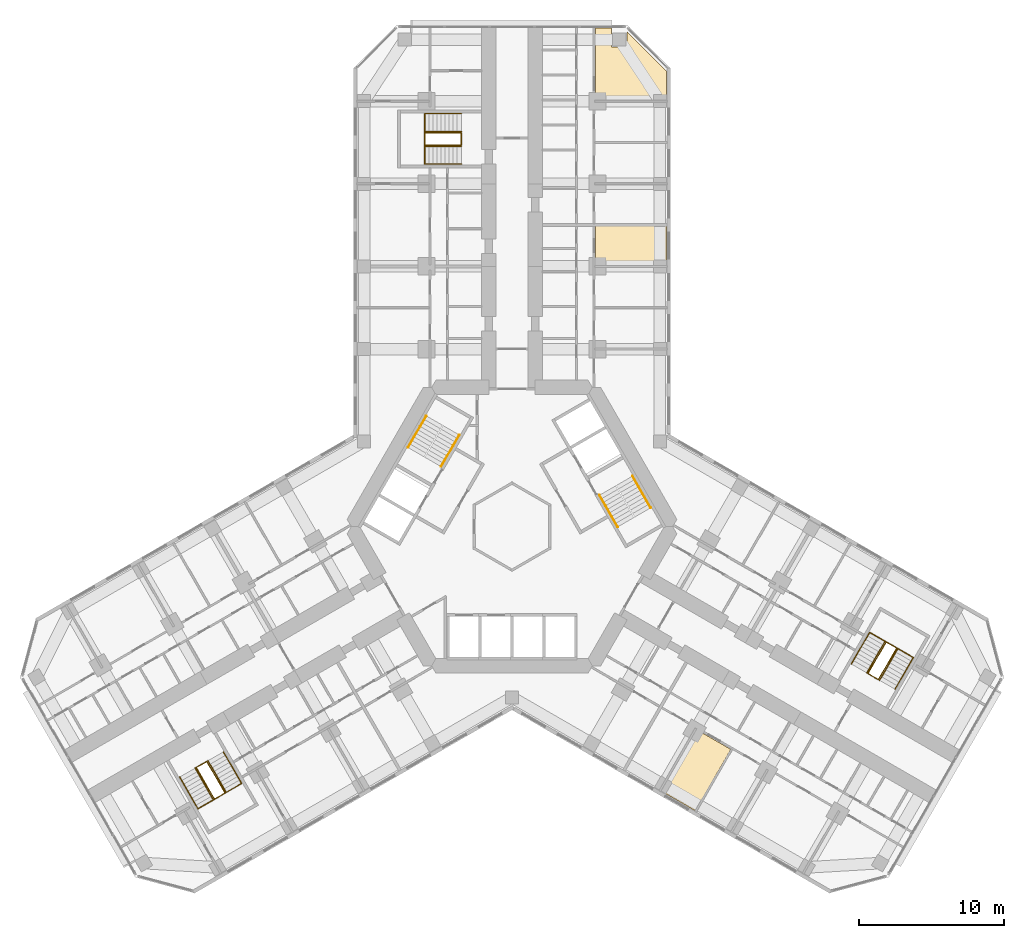
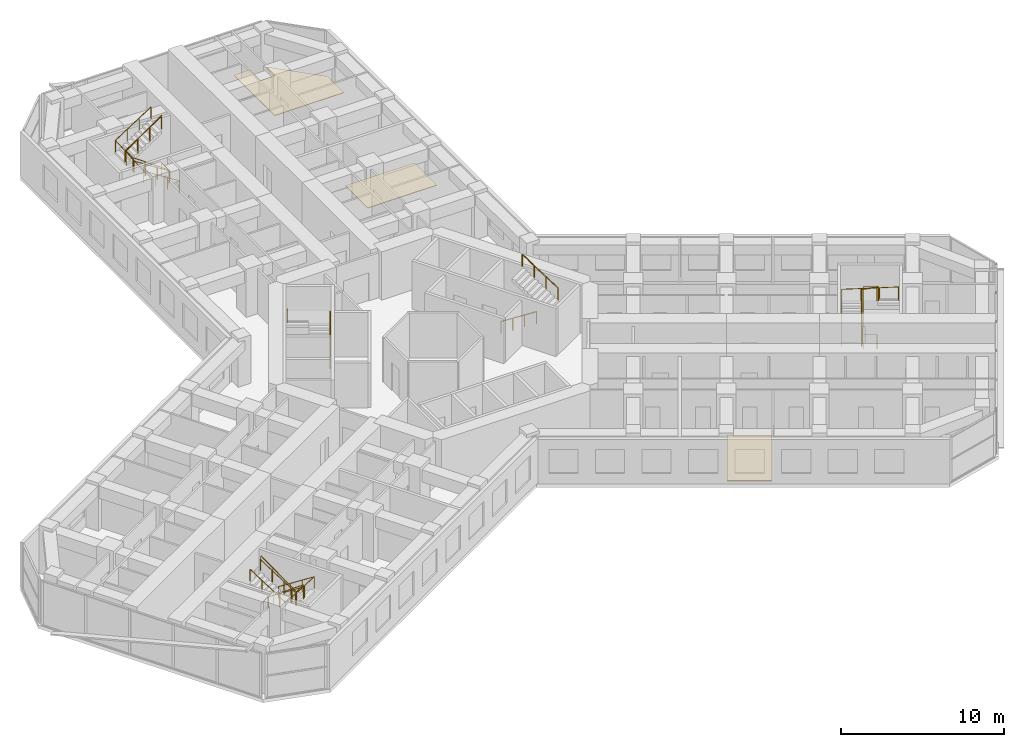
# One storey, part 21 of 21: 13 railings, 3 coverings.
"""IFC4 building model written with IfcOpenShell, lengths in metres."""

from ifc_helpers import new_model, si_unit, direction, frame, origin, origin_2d, place, context, subcontext, project, spatial, polyline, circle, outline, extrude, material, layer, layer_set, type_object, element, save


model = new_model("IFC4")

# Units and contexts
model_context = context("Model", 3, precision=1e-05, world=origin(), true_north=direction((0.0, 1.0)))
body_context = subcontext(model_context, "Body", "Model", "MODEL_VIEW")
ifc_project = project(units=[si_unit("LENGTHUNIT", "METRE"), si_unit("AREAUNIT", "SQUARE_METRE"), si_unit("VOLUMEUNIT", "CUBIC_METRE"), si_unit("PLANEANGLEUNIT", "RADIAN"), si_unit("MASSUNIT", "GRAM", prefix="KILO")], contexts=[model_context])

# Site, building, storey
site_placement = place(None, origin())
site = spatial("IfcSite", under=ifc_project, at=site_placement, CompositionType="ELEMENT")
building_placement = place(site_placement, origin())
building = spatial("IfcBuilding", under=site, at=building_placement, Name="Kosmar Iwan School Tower", CompositionType="ELEMENT")
storey_placement = place(building_placement, frame((0.0, 0.0, 84.39990234375)))
storey = spatial("IfcBuildingStorey", under=building, at=storey_placement, Name="L20", CompositionType="ELEMENT", Elevation=84.39990234375)

# Railings
ifc_material_1 = material(Name="Black steel", Category="steel")
railing_type_1 = type_object("IfcRailingType", Name="Stair handrail 900", PredefinedType="HANDRAIL", material=ifc_material_1)
railing_1_placement = place(storey_placement, frame((-4.89453125, 4.142333984375, 0.18017578125)))
element("IfcRailing", 1, at=railing_1_placement, inside=storey, type_object=railing_type_1, Name="Handrail ST2 flight 1", PredefinedType="HANDRAIL", context=body_context, shape_type="SweptSolid", body=[
    extrude(circle(Radius=0.02392578125, at=origin_2d()), frame((0.0, 0.0, 0.8759765625), z_axis=(0.42060268101, 0.72849590497, 0.54072830624), x_axis=(-0.866022637375, 0.500004791531, 0.0)), (0.0, 0.0, 1.0), 2.99560546875),
    extrude(circle(Radius=0.02099609375, at=origin_2d()), origin(), (0.0, 0.0, 1.0), 0.851806640625),
    extrude(circle(Radius=0.02099609375, at=origin_2d()), frame((0.419921875, 0.7275390625, 0.5400390625)), (0.0, 0.0, 1.0), 0.851806640625),
    extrude(circle(Radius=0.02099609375, at=origin_2d()), frame((0.840087890625, 1.454833984375, 1.079833984375)), (0.0, 0.0, 1.0), 0.851806640625),
    extrude(circle(Radius=0.02099609375, at=origin_2d()), frame((1.260009765625, 2.182373046875, 1.619873046875)), (0.0, 0.0, 1.0), 0.851806640625),
])
railing_2_placement = place(storey_placement, frame((-5.912353515625, 7.6396484375, 1.97998046875)))
element("IfcRailing", 2, at=railing_2_placement, inside=storey, type_object=railing_type_1, Name="Handrail ST2 flight 2", PredefinedType="HANDRAIL", context=body_context, shape_type="SweptSolid", body=[
    extrude(circle(Radius=0.02392578125, at=origin_2d()), frame((0.0, 0.0, 0.8759765625), z_axis=(-0.420584145978, -0.728463801763, 0.540785970299), x_axis=(0.866022637375, -0.500004791531, 0.0)), (0.0, 0.0, 1.0), 2.995849609375),
    extrude(circle(Radius=0.02099609375, at=origin_2d()), origin(), (0.0, 0.0, 1.0), 0.851806640625),
    extrude(circle(Radius=0.02099609375, at=origin_2d()), frame((-0.419921875, -0.7275390625, 0.5400390625)), (0.0, 0.0, 1.0), 0.851806640625),
    extrude(circle(Radius=0.02099609375, at=origin_2d()), frame((-0.840087890625, -1.454833984375, 1.080078125)), (0.0, 0.0, 1.0), 0.851806640625),
    extrude(circle(Radius=0.02099609375, at=origin_2d()), frame((-1.260009765625, -2.182373046875, 1.6201171875)), (0.0, 0.0, 1.0), 0.851806640625),
])
railing_3_placement = place(storey_placement, frame((6.03466796875, 2.167724609375, 0.18017578125)))
element("IfcRailing", 3, at=railing_3_placement, inside=storey, type_object=railing_type_1, Name="Handrail ST1 flight 1", PredefinedType="HANDRAIL", context=body_context, shape_type="SweptSolid", body=[
    extrude(circle(Radius=0.02392578125, at=origin_2d()), frame((0.0, 0.0, 0.8759765625), z_axis=(0.42060268101, -0.72849590497, 0.54072830624), x_axis=(0.866022637375, 0.500004791531, 0.0)), (0.0, 0.0, 1.0), 2.99560546875),
    extrude(circle(Radius=0.02099609375, at=origin_2d()), origin(), (0.0, 0.0, 1.0), 0.851806640625),
    extrude(circle(Radius=0.02099609375, at=origin_2d()), frame((0.419921875, -0.7275390625, 0.5400390625)), (0.0, 0.0, 1.0), 0.851806640625),
    extrude(circle(Radius=0.02099609375, at=origin_2d()), frame((0.840087890625, -1.454833984375, 1.079833984375)), (0.0, 0.0, 1.0), 0.851806640625),
    extrude(circle(Radius=0.02099609375, at=origin_2d()), frame((1.260009765625, -2.182373046875, 1.619873046875)), (0.0, 0.0, 1.0), 0.851806640625),
])
railing_4_placement = place(storey_placement, frame((9.572265625, 1.30029296875, 1.97998046875)))
element("IfcRailing", 4, at=railing_4_placement, inside=storey, type_object=railing_type_1, Name="Handrail ST1 flight 2", PredefinedType="HANDRAIL", context=body_context, shape_type="SweptSolid", body=[
    extrude(circle(Radius=0.02392578125, at=origin_2d()), frame((0.0, 0.0, 0.8759765625), z_axis=(-0.420584145978, 0.728463801763, 0.540785970299), x_axis=(-0.866022637375, -0.500004791531, 0.0)), (0.0, 0.0, 1.0), 2.995849609375),
    extrude(circle(Radius=0.02099609375, at=origin_2d()), origin(), (0.0, 0.0, 1.0), 0.851806640625),
    extrude(circle(Radius=0.02099609375, at=origin_2d()), frame((-0.419921875, 0.7275390625, 0.5400390625)), (0.0, 0.0, 1.0), 0.851806640625),
    extrude(circle(Radius=0.02099609375, at=origin_2d()), frame((-0.840087890625, 1.454833984375, 1.080078125)), (0.0, 0.0, 1.0), 0.851806640625),
    extrude(circle(Radius=0.02099609375, at=origin_2d()), frame((-1.260009765625, 2.182373046875, 1.6201171875)), (0.0, 0.0, 1.0), 0.851806640625),
])
railing_5_placement = place(storey_placement, frame((-3.5, 25.010009765625, 0.18017578125)))
element("IfcRailing", 5, at=railing_5_placement, inside=storey, type_object=railing_type_1, Name="Handrail stair WS1 L20 wall side", PredefinedType="HANDRAIL", context=body_context, shape_type="SweptSolid", body=[
    extrude(circle(Radius=0.02392578125, at=origin_2d()), frame((0.0, 0.0, 0.8759765625), z_axis=(-0.841199657755, 0.0, 0.540724639528), x_axis=(0.0, -1.0, 0.0)), (0.0, 0.0, 1.0), 2.995849609375),
    extrude(circle(Radius=0.02392578125, at=origin_2d()), frame((-2.52001953125, 0.0, 2.49560546875), z_axis=(0.0, 0.998665981786, 0.051635809497), x_axis=(-1.0, 0.0, 0.0)), (0.0, 0.0, 1.0), 3.484619140625),
    extrude(circle(Radius=0.02392578125, at=origin_2d()), frame((-2.52001953125, 3.47998046875, 2.67578125), z_axis=(0.841162588446, 0.0, 0.540782303519), x_axis=(0.0, 1.0, 0.0)), (0.0, 0.0, 1.0), 2.995849609375),
    extrude(circle(Radius=0.02099609375, at=origin_2d()), origin(), (0.0, 0.0, 1.0), 0.851806640625),
    extrude(circle(Radius=0.02099609375, at=origin_2d()), frame((-0.840087890625, 0.0, 0.5400390625)), (0.0, 0.0, 1.0), 0.851806640625),
    extrude(circle(Radius=0.02099609375, at=origin_2d()), frame((-1.679931640625, 0.0, 1.079833984375)), (0.0, 0.0, 1.0), 0.851806640625),
    extrude(circle(Radius=0.02099609375, at=origin_2d()), frame((-2.52001953125, 0.0, 1.619873046875)), (0.0, 0.0, 1.0), 0.851806640625),
    extrude(circle(Radius=0.02099609375, at=origin_2d()), frame((-2.52001953125, 1.159912109375, 1.679931640625)), (0.0, 0.0, 1.0), 0.851806640625),
    extrude(circle(Radius=0.02099609375, at=origin_2d()), frame((-2.52001953125, 2.320068359375, 1.73974609375)), (0.0, 0.0, 1.0), 0.851806640625),
    extrude(circle(Radius=0.02099609375, at=origin_2d()), frame((-2.52001953125, 3.47998046875, 1.7998046875)), (0.0, 0.0, 1.0), 0.851806640625),
    extrude(circle(Radius=0.02099609375, at=origin_2d()), frame((-1.679931640625, 3.47998046875, 2.33984375)), (0.0, 0.0, 1.0), 0.851806640625),
    extrude(circle(Radius=0.02099609375, at=origin_2d()), frame((-0.840087890625, 3.47998046875, 2.8798828125)), (0.0, 0.0, 1.0), 0.851806640625),
    extrude(circle(Radius=0.02099609375, at=origin_2d()), frame((0.0, 3.47998046875, 3.419921875)), (0.0, 0.0, 1.0), 0.851806640625),
])
railing_6_placement = place(storey_placement, frame((-3.5, 26.239990234375, 0.18017578125)))
element("IfcRailing", 6, at=railing_6_placement, inside=storey, type_object=railing_type_1, Name="Handrail stair WS1 L20 well side", PredefinedType="HANDRAIL", context=body_context, shape_type="SweptSolid", body=[
    extrude(circle(Radius=0.02392578125, at=origin_2d()), frame((0.0, 0.0, 0.8759765625), z_axis=(-0.841199657755, 0.0, 0.540724639528), x_axis=(0.0, -1.0, 0.0)), (0.0, 0.0, 1.0), 2.995849609375),
    extrude(circle(Radius=0.02392578125, at=origin_2d()), frame((-2.52001953125, 0.0, 2.49560546875), z_axis=(0.0, 0.984795421109, 0.173718100851), x_axis=(-1.0, 0.0, 0.0)), (0.0, 0.0, 1.0), 1.035888671875),
    extrude(circle(Radius=0.02392578125, at=origin_2d()), frame((-2.52001953125, 1.02001953125, 2.67578125), z_axis=(0.841162588446, 0.0, 0.540782303519), x_axis=(0.0, 1.0, 0.0)), (0.0, 0.0, 1.0), 2.995849609375),
    extrude(circle(Radius=0.02099609375, at=origin_2d()), origin(), (0.0, 0.0, 1.0), 0.851806640625),
    extrude(circle(Radius=0.02099609375, at=origin_2d()), frame((-0.840087890625, 0.0, 0.5400390625)), (0.0, 0.0, 1.0), 0.851806640625),
    extrude(circle(Radius=0.02099609375, at=origin_2d()), frame((-1.679931640625, 0.0, 1.079833984375)), (0.0, 0.0, 1.0), 0.851806640625),
    extrude(circle(Radius=0.02099609375, at=origin_2d()), frame((-2.52001953125, 0.0, 1.619873046875)), (0.0, 0.0, 1.0), 0.851806640625),
    extrude(circle(Radius=0.02099609375, at=origin_2d()), frame((-2.52001953125, 1.02001953125, 1.7998046875)), (0.0, 0.0, 1.0), 0.851806640625),
    extrude(circle(Radius=0.02099609375, at=origin_2d()), frame((-1.679931640625, 1.02001953125, 2.33984375)), (0.0, 0.0, 1.0), 0.851806640625),
    extrude(circle(Radius=0.02099609375, at=origin_2d()), frame((-0.840087890625, 1.02001953125, 2.8798828125)), (0.0, 0.0, 1.0), 0.851806640625),
    extrude(circle(Radius=0.02099609375, at=origin_2d()), frame((0.0, 1.02001953125, 3.419921875)), (0.0, 0.0, 1.0), 0.851806640625),
])
railing_7_placement = place(storey_placement, frame((-19.9091796875, -15.5361328125, 0.18017578125)))
element("IfcRailing", 7, at=railing_7_placement, inside=storey, type_object=railing_type_1, Name="Handrail stair WS2 L20 wall side", PredefinedType="HANDRAIL", context=body_context, shape_type="SweptSolid", body=[
    extrude(circle(Radius=0.02392578125, at=origin_2d()), frame((0.0, 0.0, 0.8759765625), z_axis=(0.420535598452, -0.728520874915, 0.540746840257), x_axis=(0.866064587494, 0.499932125682, 0.0)), (0.0, 0.0, 1.0), 2.99560546875),
    extrude(circle(Radius=0.02392578125, at=origin_2d()), frame((1.259765625, -2.182373046875, 2.49560546875), z_axis=(-0.864864352349, -0.499342858003, 0.051636829851), x_axis=(0.500009906705, -0.86601968407, 0.0)), (0.0, 0.0, 1.0), 3.484619140625),
    extrude(circle(Radius=0.02392578125, at=origin_2d()), frame((-1.75390625, -3.92236328125, 2.67578125), z_axis=(-0.420584145978, 0.728463801763, 0.540785970299), x_axis=(-0.866022637375, -0.500004791531, 0.0)), (0.0, 0.0, 1.0), 2.995849609375),
    extrude(circle(Radius=0.02099609375, at=origin_2d()), origin(), (0.0, 0.0, 1.0), 0.851806640625),
    extrude(circle(Radius=0.02099609375, at=origin_2d()), frame((0.419921875, -0.7275390625, 0.5400390625)), (0.0, 0.0, 1.0), 0.851806640625),
    extrude(circle(Radius=0.02099609375, at=origin_2d()), frame((0.83984375, -1.454833984375, 1.079833984375)), (0.0, 0.0, 1.0), 0.851806640625),
    extrude(circle(Radius=0.02099609375, at=origin_2d()), frame((1.259765625, -2.182373046875, 1.619873046875)), (0.0, 0.0, 1.0), 0.851806640625),
    extrude(circle(Radius=0.02099609375, at=origin_2d()), frame((0.255126953125, -2.762451171875, 1.679931640625)), (0.0, 0.0, 1.0), 0.851806640625),
    extrude(circle(Radius=0.02099609375, at=origin_2d()), frame((-0.749267578125, -3.34228515625, 1.73974609375)), (0.0, 0.0, 1.0), 0.851806640625),
    extrude(circle(Radius=0.02099609375, at=origin_2d()), frame((-1.75390625, -3.92236328125, 1.7998046875)), (0.0, 0.0, 1.0), 0.851806640625),
    extrude(circle(Radius=0.02099609375, at=origin_2d()), frame((-2.173828125, -3.19482421875, 2.33984375)), (0.0, 0.0, 1.0), 0.851806640625),
    extrude(circle(Radius=0.02099609375, at=origin_2d()), frame((-2.593994140625, -2.467529296875, 2.8798828125)), (0.0, 0.0, 1.0), 0.851806640625),
    extrude(circle(Radius=0.02099609375, at=origin_2d()), frame((-3.013916015625, -1.739990234375, 3.419921875)), (0.0, 0.0, 1.0), 0.851806640625),
])
railing_8_placement = place(storey_placement, frame((-20.974609375, -16.151123046875, 0.18017578125)))
element("IfcRailing", 8, at=railing_8_placement, inside=storey, type_object=railing_type_1, Name="Handrail stair WS2 L20 well side", PredefinedType="HANDRAIL", context=body_context, shape_type="SweptSolid", body=[
    extrude(circle(Radius=0.02392578125, at=origin_2d()), frame((0.0, 0.0, 0.8759765625), z_axis=(0.42060268101, -0.72849590497, 0.54072830624), x_axis=(0.866022637375, 0.500004791531, 0.0)), (0.0, 0.0, 1.0), 2.99560546875),
    extrude(circle(Radius=0.02392578125, at=origin_2d()), frame((1.260009765625, -2.182373046875, 2.49560546875), z_axis=(-0.852841519511, -0.492422867401, 0.173726976197), x_axis=(0.500026340207, -0.866010195725, 0.0)), (0.0, 0.0, 1.0), 1.03564453125),
    extrude(circle(Radius=0.02392578125, at=origin_2d()), frame((0.376708984375, -2.6923828125, 2.67578125), z_axis=(-0.420584145978, 0.728463801763, 0.540785970299), x_axis=(-0.866022637375, -0.500004791531, 0.0)), (0.0, 0.0, 1.0), 2.995849609375),
    extrude(circle(Radius=0.02099609375, at=origin_2d()), origin(), (0.0, 0.0, 1.0), 0.851806640625),
    extrude(circle(Radius=0.02099609375, at=origin_2d()), frame((0.419921875, -0.7275390625, 0.5400390625)), (0.0, 0.0, 1.0), 0.851806640625),
    extrude(circle(Radius=0.02099609375, at=origin_2d()), frame((0.840087890625, -1.454833984375, 1.079833984375)), (0.0, 0.0, 1.0), 0.851806640625),
    extrude(circle(Radius=0.02099609375, at=origin_2d()), frame((1.260009765625, -2.182373046875, 1.619873046875)), (0.0, 0.0, 1.0), 0.851806640625),
    extrude(circle(Radius=0.02099609375, at=origin_2d()), frame((0.376708984375, -2.6923828125, 1.7998046875)), (0.0, 0.0, 1.0), 0.851806640625),
    extrude(circle(Radius=0.02099609375, at=origin_2d()), frame((-0.043212890625, -1.96484375, 2.33984375)), (0.0, 0.0, 1.0), 0.851806640625),
    extrude(circle(Radius=0.02099609375, at=origin_2d()), frame((-0.46337890625, -1.237548828125, 2.8798828125)), (0.0, 0.0, 1.0), 0.851806640625),
    extrude(circle(Radius=0.02099609375, at=origin_2d()), frame((-0.88330078125, -0.510009765625, 3.419921875)), (0.0, 0.0, 1.0), 0.851806640625),
])
railing_9_placement = place(storey_placement, frame((23.4091796875, -9.473876953125, 0.18017578125)))
element("IfcRailing", 9, at=railing_9_placement, inside=storey, type_object=railing_type_1, Name="Handrail stair WS3 L20 wall side", PredefinedType="HANDRAIL", context=body_context, shape_type="SweptSolid", body=[
    extrude(circle(Radius=0.02392578125, at=origin_2d()), frame((0.0, 0.0, 0.8759765625), z_axis=(0.42060268101, 0.72849590497, 0.54072830624), x_axis=(-0.866022637375, 0.500004791531, 0.0)), (0.0, 0.0, 1.0), 2.99560546875),
    extrude(circle(Radius=0.02392578125, at=origin_2d()), frame((1.260009765625, 2.182373046875, 2.49560546875), z_axis=(0.864882007433, -0.499312601618, 0.051633701051), x_axis=(0.499979528911, 0.866037222451, 0.0)), (0.0, 0.0, 1.0), 3.48486328125),
    extrude(circle(Radius=0.02392578125, at=origin_2d()), frame((4.27392578125, 0.4423828125, 2.67578125), z_axis=(-0.420584145978, -0.728463801763, 0.540785970299), x_axis=(0.866022637375, -0.500004791531, 0.0)), (0.0, 0.0, 1.0), 2.995849609375),
    extrude(circle(Radius=0.02099609375, at=origin_2d()), origin(), (0.0, 0.0, 1.0), 0.851806640625),
    extrude(circle(Radius=0.02099609375, at=origin_2d()), frame((0.419921875, 0.7275390625, 0.5400390625)), (0.0, 0.0, 1.0), 0.851806640625),
    extrude(circle(Radius=0.02099609375, at=origin_2d()), frame((0.840087890625, 1.454833984375, 1.079833984375)), (0.0, 0.0, 1.0), 0.851806640625),
    extrude(circle(Radius=0.02099609375, at=origin_2d()), frame((1.260009765625, 2.182373046875, 1.619873046875)), (0.0, 0.0, 1.0), 0.851806640625),
    extrude(circle(Radius=0.02099609375, at=origin_2d()), frame((2.2646484375, 1.602294921875, 1.679931640625)), (0.0, 0.0, 1.0), 0.851806640625),
    extrude(circle(Radius=0.02099609375, at=origin_2d()), frame((3.269287109375, 1.0224609375, 1.73974609375)), (0.0, 0.0, 1.0), 0.851806640625),
    extrude(circle(Radius=0.02099609375, at=origin_2d()), frame((4.27392578125, 0.4423828125, 1.7998046875)), (0.0, 0.0, 1.0), 0.851806640625),
    extrude(circle(Radius=0.02099609375, at=origin_2d()), frame((3.85400390625, -0.28515625, 2.33984375)), (0.0, 0.0, 1.0), 0.851806640625),
    extrude(circle(Radius=0.02099609375, at=origin_2d()), frame((3.433837890625, -1.012451171875, 2.8798828125)), (0.0, 0.0, 1.0), 0.851806640625),
    extrude(circle(Radius=0.02099609375, at=origin_2d()), frame((3.013916015625, -1.739990234375, 3.419921875)), (0.0, 0.0, 1.0), 0.851806640625),
])
railing_10_placement = place(storey_placement, frame((24.474609375, -10.0888671875, 0.18017578125)))
element("IfcRailing", 10, at=railing_10_placement, inside=storey, type_object=railing_type_1, Name="Handrail stair WS3 L20 well side", PredefinedType="HANDRAIL", context=body_context, shape_type="SweptSolid", body=[
    extrude(circle(Radius=0.02392578125, at=origin_2d()), frame((0.0, 0.0, 0.8759765625), z_axis=(0.42060268101, 0.72849590497, 0.54072830624), x_axis=(-0.866022637375, 0.500004791531, 0.0)), (0.0, 0.0, 1.0), 2.99560546875),
    extrude(circle(Radius=0.02392578125, at=origin_2d()), frame((1.260009765625, 2.182373046875, 2.49560546875), z_axis=(0.852841519511, -0.492422867401, 0.173726976197), x_axis=(0.500026340207, 0.866010195725, 0.0)), (0.0, 0.0, 1.0), 1.03564453125),
    extrude(circle(Radius=0.02392578125, at=origin_2d()), frame((2.143310546875, 1.67236328125, 2.67578125), z_axis=(-0.420584145978, -0.728463801763, 0.540785970299), x_axis=(0.866022637375, -0.500004791531, 0.0)), (0.0, 0.0, 1.0), 2.995849609375),
    extrude(circle(Radius=0.02099609375, at=origin_2d()), origin(), (0.0, 0.0, 1.0), 0.851806640625),
    extrude(circle(Radius=0.02099609375, at=origin_2d()), frame((0.419921875, 0.7275390625, 0.5400390625)), (0.0, 0.0, 1.0), 0.851806640625),
    extrude(circle(Radius=0.02099609375, at=origin_2d()), frame((0.840087890625, 1.454833984375, 1.079833984375)), (0.0, 0.0, 1.0), 0.851806640625),
    extrude(circle(Radius=0.02099609375, at=origin_2d()), frame((1.260009765625, 2.182373046875, 1.619873046875)), (0.0, 0.0, 1.0), 0.851806640625),
    extrude(circle(Radius=0.02099609375, at=origin_2d()), frame((2.143310546875, 1.67236328125, 1.7998046875)), (0.0, 0.0, 1.0), 0.851806640625),
    extrude(circle(Radius=0.02099609375, at=origin_2d()), frame((1.723388671875, 0.94482421875, 2.33984375)), (0.0, 0.0, 1.0), 0.851806640625),
    extrude(circle(Radius=0.02099609375, at=origin_2d()), frame((1.30322265625, 0.217529296875, 2.8798828125)), (0.0, 0.0, 1.0), 0.851806640625),
    extrude(circle(Radius=0.02099609375, at=origin_2d()), frame((0.88330078125, -0.510009765625, 3.419921875)), (0.0, 0.0, 1.0), 0.851806640625),
])
ifc_material_2 = material(Name="Black steel", Category="steel")
railing_type_2 = type_object("IfcRailingType", Name="Stair well guard 1100", PredefinedType="GUARDRAIL", material=ifc_material_2)
railing_11_placement = place(storey_placement, frame((-3.5, 27.169921875, 0.0)))
element("IfcRailing", 11, at=railing_11_placement, inside=storey, type_object=railing_type_2, Name="Stair WS1 L20 well guard", PredefinedType="GUARDRAIL", context=body_context, shape_type="SweptSolid", body=[
    extrude(circle(Radius=0.02392578125, at=origin_2d()), frame((0.0, 0.0, 1.076171875), z_axis=(0.0, -1.0, 0.0), x_axis=(1.0, 0.0, 0.0)), (0.0, 0.0, 1.0), 0.83984375),
    extrude(circle(Radius=0.02392578125, at=origin_2d()), frame((0.0, -0.83984375, 1.076171875), z_axis=(-0.813728144527, 0.0, 0.581245650998), x_axis=(0.0, -1.0, 0.0)), (0.0, 0.0, 1.0), 3.096923828125),
    extrude(circle(Radius=0.02392578125, at=origin_2d()), frame((-2.52001953125, -0.83984375, 2.8759765625), z_axis=(0.0, 1.0, 0.0), x_axis=(-1.0, 0.0, 0.0)), (0.0, 0.0, 1.0), 0.83984375),
    extrude(circle(Radius=0.02392578125, at=origin_2d()), frame((-2.52001953125, 0.0, 2.8759765625), z_axis=(0.813728144527, 0.0, 0.581245650998), x_axis=(0.0, 1.0, 0.0)), (0.0, 0.0, 1.0), 3.096923828125),
    extrude(circle(Radius=0.02099609375, at=origin_2d()), origin(), (0.0, 0.0, 1.0), 1.052001953125),
    extrude(circle(Radius=0.02099609375, at=origin_2d()), frame((0.0, -0.83984375, 0.0)), (0.0, 0.0, 1.0), 1.052001953125),
    extrude(circle(Radius=0.02099609375, at=origin_2d()), frame((-0.840087890625, -0.83984375, 0.60009765625)), (0.0, 0.0, 1.0), 1.052001953125),
    extrude(circle(Radius=0.02099609375, at=origin_2d()), frame((-1.679931640625, -0.83984375, 1.199951171875)), (0.0, 0.0, 1.0), 1.052001953125),
    extrude(circle(Radius=0.02099609375, at=origin_2d()), frame((-2.52001953125, -0.83984375, 1.800048828125)), (0.0, 0.0, 1.0), 1.052001953125),
    extrude(circle(Radius=0.02099609375, at=origin_2d()), frame((-2.52001953125, 0.0, 1.800048828125)), (0.0, 0.0, 1.0), 1.052001953125),
    extrude(circle(Radius=0.02099609375, at=origin_2d()), frame((-1.679931640625, 0.0, 2.400146484375)), (0.0, 0.0, 1.0), 1.052001953125),
    extrude(circle(Radius=0.02099609375, at=origin_2d()), frame((-0.840087890625, 0.0, 3.0)), (0.0, 0.0, 1.0), 1.052001953125),
    extrude(circle(Radius=0.02099609375, at=origin_2d()), frame((0.0, 0.0, 3.60009765625)), (0.0, 0.0, 1.0), 1.052001953125),
])
railing_12_placement = place(storey_placement, frame((-21.780029296875, -16.6162109375, 0.0)))
element("IfcRailing", 12, at=railing_12_placement, inside=storey, type_object=railing_type_2, Name="Stair WS2 L20 well guard", PredefinedType="GUARDRAIL", context=body_context, shape_type="SweptSolid", body=[
    extrude(circle(Radius=0.02392578125, at=origin_2d()), frame((0.0, 0.0, 1.076171875), z_axis=(0.865962960534, 0.500108139288, 0.0), x_axis=(-0.500108139288, 0.865962960534, 0.0)), (0.0, 0.0, 1.0), 0.840087890625),
    extrude(circle(Radius=0.02392578125, at=origin_2d()), frame((0.7275390625, 0.420166015625, 1.076171875), z_axis=(0.40686665399, -0.704704712268, 0.58124933925), x_axis=(0.866022637375, 0.500004791531, 0.0)), (0.0, 0.0, 1.0), 3.096923828125),
    extrude(circle(Radius=0.02392578125, at=origin_2d()), frame((1.987548828125, -1.76220703125, 2.8759765625), z_axis=(-0.865962960534, -0.500108139288, 0.0), x_axis=(0.500108139288, -0.865962960534, 0.0)), (0.0, 0.0, 1.0), 0.840087890625),
    extrude(circle(Radius=0.02392578125, at=origin_2d()), frame((1.260009765625, -2.182373046875, 2.8759765625), z_axis=(-0.40686665399, 0.704704712268, 0.58124933925), x_axis=(-0.866022637375, -0.500004791531, 0.0)), (0.0, 0.0, 1.0), 3.096923828125),
    extrude(circle(Radius=0.02099609375, at=origin_2d()), origin(), (0.0, 0.0, 1.0), 1.052001953125),
    extrude(circle(Radius=0.02099609375, at=origin_2d()), frame((0.7275390625, 0.420166015625, 0.0)), (0.0, 0.0, 1.0), 1.052001953125),
    extrude(circle(Radius=0.02099609375, at=origin_2d()), frame((1.1474609375, -0.307373046875, 0.60009765625)), (0.0, 0.0, 1.0), 1.052001953125),
    extrude(circle(Radius=0.02099609375, at=origin_2d()), frame((1.567626953125, -1.03466796875, 1.199951171875)), (0.0, 0.0, 1.0), 1.052001953125),
    extrude(circle(Radius=0.02099609375, at=origin_2d()), frame((1.987548828125, -1.76220703125, 1.800048828125)), (0.0, 0.0, 1.0), 1.052001953125),
    extrude(circle(Radius=0.02099609375, at=origin_2d()), frame((1.260009765625, -2.182373046875, 1.800048828125)), (0.0, 0.0, 1.0), 1.052001953125),
    extrude(circle(Radius=0.02099609375, at=origin_2d()), frame((0.840087890625, -1.454833984375, 2.400146484375)), (0.0, 0.0, 1.0), 1.052001953125),
    extrude(circle(Radius=0.02099609375, at=origin_2d()), frame((0.419921875, -0.7275390625, 3.0)), (0.0, 0.0, 1.0), 1.052001953125),
    extrude(circle(Radius=0.02099609375, at=origin_2d()), frame((0.0, 0.0, 3.60009765625)), (0.0, 0.0, 1.0), 1.052001953125),
])
railing_13_placement = place(storey_placement, frame((25.280029296875, -10.553955078125, 0.0)))
element("IfcRailing", 13, at=railing_13_placement, inside=storey, type_object=railing_type_2, Name="Stair WS3 L20 well guard", PredefinedType="GUARDRAIL", context=body_context, shape_type="SweptSolid", body=[
    extrude(circle(Radius=0.02392578125, at=origin_2d()), frame((0.0, 0.0, 1.076171875), z_axis=(-0.865962960534, 0.500108139288, 0.0), x_axis=(-0.500108139288, -0.865962960534, 0.0)), (0.0, 0.0, 1.0), 0.840087890625),
    extrude(circle(Radius=0.02392578125, at=origin_2d()), frame((-0.7275390625, 0.420166015625, 1.076171875), z_axis=(0.40686665399, 0.704704712268, 0.58124933925), x_axis=(-0.866022637375, 0.500004791531, 0.0)), (0.0, 0.0, 1.0), 3.096923828125),
    extrude(circle(Radius=0.02392578125, at=origin_2d()), frame((0.532470703125, 2.6025390625, 2.8759765625), z_axis=(0.865890253765, -0.500234013672, 0.0), x_axis=(0.500234013672, 0.865890253765, 0.0)), (0.0, 0.0, 1.0), 0.83984375),
    extrude(circle(Radius=0.02392578125, at=origin_2d()), frame((1.259765625, 2.182373046875, 2.8759765625), z_axis=(-0.406800866334, -0.70472731476, 0.58126798207), x_axis=(0.866064587494, -0.499932125682, 0.0)), (0.0, 0.0, 1.0), 3.0966796875),
    extrude(circle(Radius=0.02099609375, at=origin_2d()), origin(), (0.0, 0.0, 1.0), 1.052001953125),
    extrude(circle(Radius=0.02099609375, at=origin_2d()), frame((-0.7275390625, 0.420166015625, 0.0)), (0.0, 0.0, 1.0), 1.052001953125),
    extrude(circle(Radius=0.02099609375, at=origin_2d()), frame((-0.3076171875, 1.147705078125, 0.60009765625)), (0.0, 0.0, 1.0), 1.052001953125),
    extrude(circle(Radius=0.02099609375, at=origin_2d()), frame((0.112548828125, 1.875, 1.199951171875)), (0.0, 0.0, 1.0), 1.052001953125),
    extrude(circle(Radius=0.02099609375, at=origin_2d()), frame((0.532470703125, 2.6025390625, 1.800048828125)), (0.0, 0.0, 1.0), 1.052001953125),
    extrude(circle(Radius=0.02099609375, at=origin_2d()), frame((1.259765625, 2.182373046875, 1.800048828125)), (0.0, 0.0, 1.0), 1.052001953125),
    extrude(circle(Radius=0.02099609375, at=origin_2d()), frame((0.83984375, 1.454833984375, 2.400146484375)), (0.0, 0.0, 1.0), 1.052001953125),
    extrude(circle(Radius=0.02099609375, at=origin_2d()), frame((0.419921875, 0.7275390625, 3.0)), (0.0, 0.0, 1.0), 1.052001953125),
    extrude(circle(Radius=0.02099609375, at=origin_2d()), frame((0.0, 0.0, 3.60009765625)), (0.0, 0.0, 1.0), 1.052001953125),
])

# Coverings
ifc_material_3 = material(Name="Honed limestone on mortar bed", Category="masonry")
ifc_layer = layer(ifc_material_3, 0.0400390625)
ifc_layer_set = layer_set([ifc_layer], Name="Winter garden stone flooring 40")
covering_type = type_object("IfcCoveringType", Name="Winter garden stone flooring 40", PredefinedType="FLOORING", material=ifc_layer_set)
covering_1_placement = place(storey_placement, origin())
element("IfcCovering", 14, at=covering_1_placement, inside=storey, type_object=covering_type, Name="Winter garden flooring L20-AR1-F4", PredefinedType="FLOORING", context=body_context, shape_type="SweptSolid", body=[
    extrude(outline(polyline([(5.760009765625, 18.0), (10.64990234375, 18.0), (10.64990234375, 20.75), (5.760009765625, 20.75), (5.760009765625, 18.0)])), origin(), (0.0, 0.0, 1.0), 0.0400390625),
])
covering_2_placement = place(storey_placement, origin())
element("IfcCovering", 15, at=covering_2_placement, inside=storey, type_object=covering_type, Name="Winter garden flooring L20-AR2-F4", PredefinedType="FLOORING", context=body_context, shape_type="SweptSolid", body=[
    extrude(outline(polyline([(5.760009765625, 29.39990234375), (10.64990234375, 29.39990234375), (10.64990234375, 31.42919921875), (7.919921875, 34.1591796875), (7.919921875, 33.080078125), (6.8798828125, 33.080078125), (6.8798828125, 34.39990234375), (5.760009765625, 34.39990234375), (5.760009765625, 29.39990234375)])), origin(), (0.0, 0.0, 1.0), 0.0400390625),
])
covering_3_placement = place(storey_placement, origin())
element("IfcCovering", 16, at=covering_3_placement, inside=storey, type_object=covering_type, Name="Winter garden flooring L20-CR2-F2", PredefinedType="FLOORING", context=body_context, shape_type="SweptSolid", body=[
    extrude(outline(polyline([(12.64501953125, -19.59814453125), (15.090087890625, -15.36328125), (12.70849609375, -13.98828125), (10.263427734375, -18.22314453125), (12.64501953125, -19.59814453125)])), origin(), (0.0, 0.0, 1.0), 0.0400390625),
])

save(model, "model.ifc")
